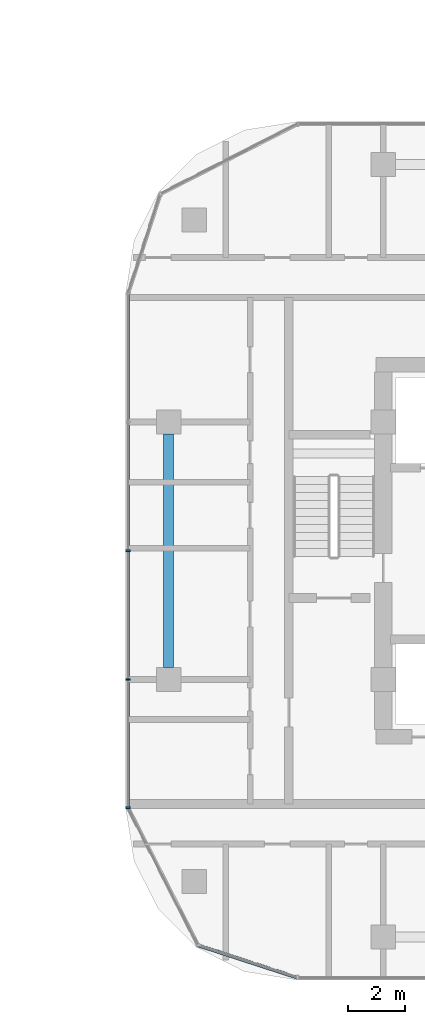
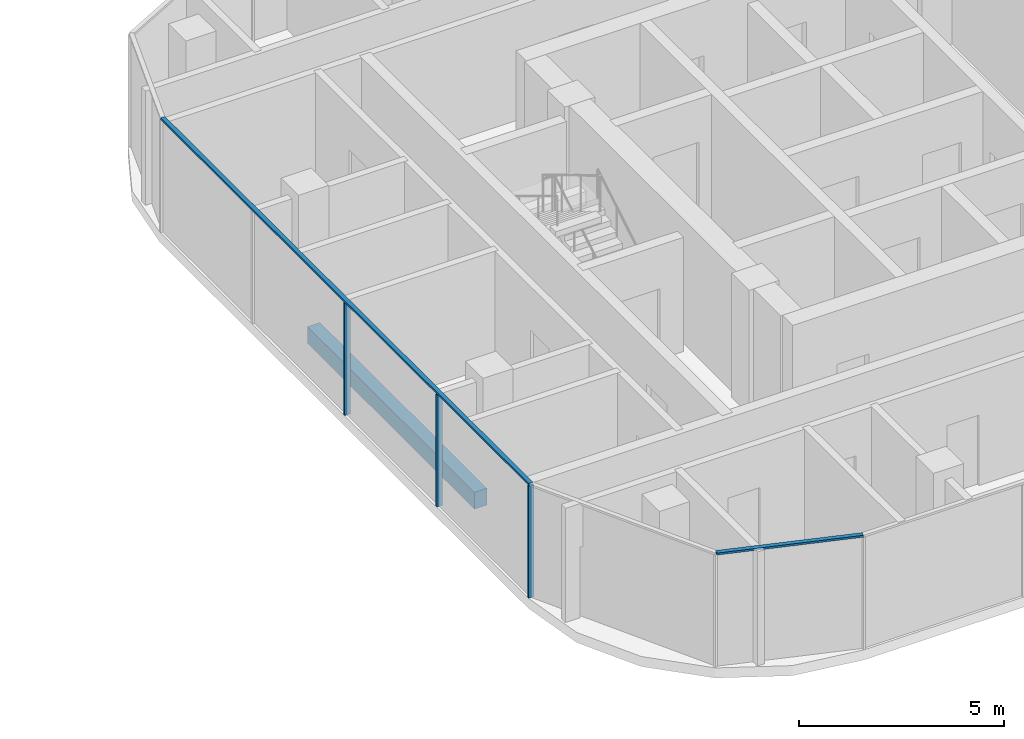
# One storey, part 8 of 33: 5 members, 1 beam, 2 elements without a shape of their own.
"""IFC4 building model written with IfcOpenShell, lengths in metres."""

from ifc_helpers import new_model, si_unit, direction, frame, origin, origin_2d, place, context, subcontext, project, spatial, rectangle, extrude, material, material_profile, profile_set, type_object, element, aggregate, save


model = new_model("IFC4")

# Units and contexts
model_context = context("Model", 3, precision=1e-05, world=origin(), true_north=direction((0.0, 1.0)))
body_context = subcontext(model_context, "Body", "Model", "MODEL_VIEW")
ifc_project = project(units=[si_unit("LENGTHUNIT", "METRE"), si_unit("AREAUNIT", "SQUARE_METRE"), si_unit("VOLUMEUNIT", "CUBIC_METRE"), si_unit("PLANEANGLEUNIT", "RADIAN"), si_unit("MASSUNIT", "GRAM", prefix="KILO")], contexts=[model_context])

# Site, building, storey
site_placement = place(None, origin())
site = spatial("IfcSite", under=ifc_project, at=site_placement, CompositionType="ELEMENT")
building_placement = place(site_placement, origin())
building = spatial("IfcBuilding", under=site, at=building_placement, Name="Ogive Portal Towers", CompositionType="ELEMENT")
storey_placement = place(building_placement, frame((0.0, 0.0, 77.89990234375)))
storey = spatial("IfcBuildingStorey", under=building, at=storey_placement, Name="L18", CompositionType="ELEMENT", Elevation=77.89990234375)

# Curtain wall, members
ifc_material_1 = material(Name="Glass, clear low-iron insulated glazing", Category="glass")
curtain_wall_type = type_object("IfcCurtainWallType", Name="CW RESIDENCES RIBBON", PredefinedType="NOTDEFINED", material=ifc_material_1)
curtain_wall_1_placement = place(storey_placement, origin())
curtain_wall_1 = element("IfcCurtainWall", 1, at=curtain_wall_1_placement, inside=storey, type_object=curtain_wall_type, Name="B:L18:f11:cw0", PredefinedType="NOTDEFINED")
ifc_material_2 = material(Name="Aluminium 6063 anodised", Category="aluminium")
ifc_material_profile_1 = material_profile(ifc_material_2, rectangle(XDim=0.159912109375, YDim=0.06005859375, at=origin_2d()), Name="AL 60x160")
ifc_profile_set_1 = profile_set([ifc_material_profile_1], Name="Aluminium 6063 anodised")
member_type_1 = type_object("IfcMemberType", Name="CW MULLION 60x160", PredefinedType="MULLION", material=ifc_profile_set_1)
member_1_placement = place(storey_placement, frame((120.080078125, 31.0, 0.0), z_axis=(0.0, 0.0, 1.0), x_axis=(1.0, 0.0, 0.0)))
member_1 = element("IfcMember", 2, at=member_1_placement, type_object=member_type_1, Name="mullion", PredefinedType="MULLION", context=body_context, shape_type="SweptSolid", body=[
    extrude(rectangle(XDim=0.159912109375, YDim=0.06005859375, at=origin_2d()), origin(), (0.0, 0.0, 1.0), 3.340087890625),
])
member_2_placement = place(storey_placement, frame((120.080078125, 26.5, 0.0), z_axis=(0.0, 0.0, 1.0), x_axis=(1.0, 0.0, 0.0)))
member_2 = element("IfcMember", 3, at=member_2_placement, type_object=member_type_1, Name="mullion", PredefinedType="MULLION", context=body_context, shape_type="SweptSolid", body=[
    extrude(rectangle(XDim=0.159912109375, YDim=0.06005859375, at=origin_2d()), origin(), (0.0, 0.0, 1.0), 3.340087890625),
])
member_3_placement = place(storey_placement, frame((120.080078125, 22.019287109375, 0.0), z_axis=(0.0, 0.0, 1.0), x_axis=(1.0, 0.0, 0.0)))
member_3 = element("IfcMember", 4, at=member_3_placement, type_object=member_type_1, Name="mullion", PredefinedType="MULLION", context=body_context, shape_type="SweptSolid", body=[
    extrude(rectangle(XDim=0.159912109375, YDim=0.06005859375, at=origin_2d()), origin(), (0.0, 0.0, 1.0), 3.340087890625),
])
ifc_material_profile_2 = material_profile(ifc_material_2, rectangle(XDim=0.1201171875, YDim=0.06005859375, at=origin_2d()), Name="AL 120x60")
ifc_profile_set_2 = profile_set([ifc_material_profile_2], Name="Aluminium 6063 anodised")
member_type_2 = type_object("IfcMemberType", Name="CW TRANSOM 60x120", PredefinedType="USERDEFINED", material=ifc_profile_set_2)
member_4_placement = place(storey_placement, frame((120.080078125, 39.9873046875, 3.3701171875), z_axis=(0.0, -1.0, 0.0), x_axis=(1.0, 0.0, 0.0)))
member_4 = element("IfcMember", 5, at=member_4_placement, type_object=member_type_2, Name="transom", ObjectType="TRANSOM", PredefinedType="USERDEFINED", context=body_context, shape_type="SweptSolid", body=[
    extrude(rectangle(XDim=0.1201171875, YDim=0.06005859375, at=origin_2d()), origin(), (0.0, 0.0, 1.0), 17.968017578125),
])
aggregate(curtain_wall_1, [member_4, member_1, member_2, member_3])

# Curtain wall, member
curtain_wall_2_placement = place(storey_placement, origin())
curtain_wall_2 = element("IfcCurtainWall", 6, at=curtain_wall_2_placement, inside=storey, type_object=curtain_wall_type, Name="B:L18:f00:cwa", PredefinedType="NOTDEFINED")
member_5_placement = place(storey_placement, frame((122.529541015625, 17.211669921875, 3.3701171875), z_axis=(0.951068844598, -0.308979049184, 0.0), x_axis=(0.308979049184, 0.951068844598, 0.0)))
member_5 = element("IfcMember", 7, at=member_5_placement, type_object=member_type_2, Name="transom", ObjectType="TRANSOM", PredefinedType="USERDEFINED", context=body_context, shape_type="SweptSolid", body=[
    extrude(rectangle(XDim=0.1201171875, YDim=0.06005859375, at=origin_2d()), origin(), (0.0, 0.0, 1.0), 3.662353515625),
])
aggregate(curtain_wall_2, [member_5])

# Beam
ifc_material_3 = material(Name="Concrete C50/60", Category="concrete")
ifc_material_profile_3 = material_profile(ifc_material_3, rectangle(XDim=0.35009765625, YDim=0.5, at=origin_2d()), Name="RC 350x500")
ifc_profile_set_3 = profile_set([ifc_material_profile_3], Name="Concrete C50/60")
beam_type = type_object("IfcBeamType", Name="SPANDREL BEAM RC 350x500", PredefinedType="BEAM", material=ifc_profile_set_3)
beam_placement = place(storey_placement, frame((121.5, 35.074951171875, -0.5498046875), z_axis=(0.0, -1.0, 0.0), x_axis=(1.0, 0.0, 0.0)))
element("IfcBeam", 8, at=beam_placement, inside=storey, type_object=beam_type, Name="Spandrel beam L18", PredefinedType="BEAM", context=body_context, shape_type="SweptSolid", body=[
    extrude(rectangle(XDim=0.35009765625, YDim=0.5, at=origin_2d()), origin(), (0.0, 0.0, 1.0), 8.14990234375),
])

save(model, "model.ifc")
